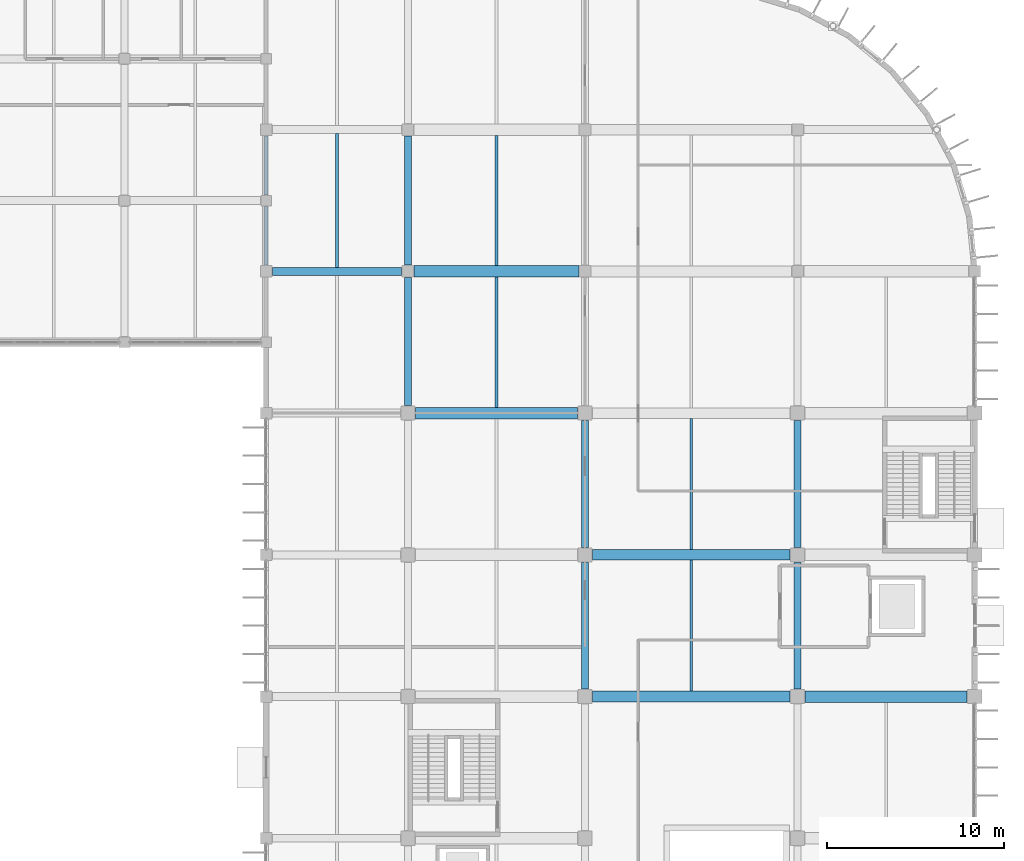
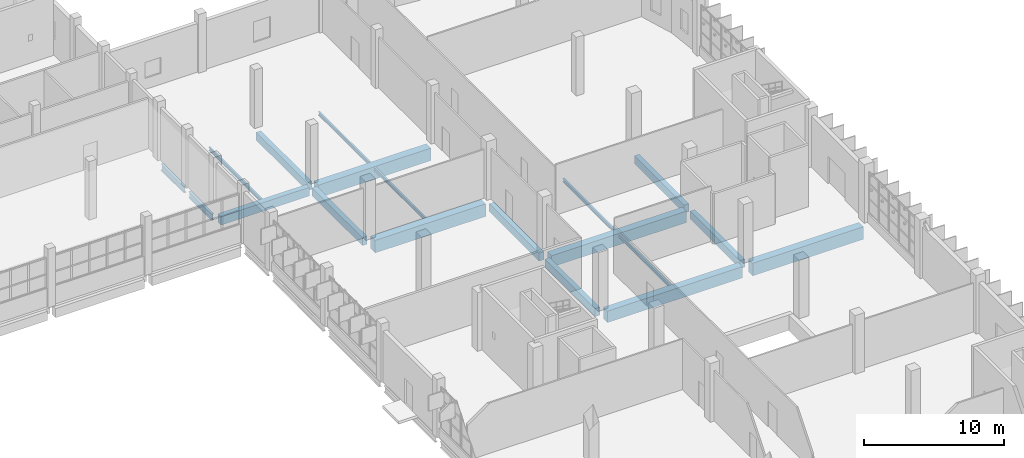
# One storey, part 49 of 103: 19 beams.
"""IFC4 building model written with IfcOpenShell, lengths in metres."""

from ifc_helpers import new_model, si_unit, direction, frame, origin, origin_2d, place, context, subcontext, project, spatial, rectangle, i_section, extrude, material, material_profile, profile_set, type_object, element, save


model = new_model("IFC4")

# Units and contexts
model_context = context("Model", 3, precision=1e-05, world=origin(), true_north=direction((0.0, 1.0)))
body_context = subcontext(model_context, "Body", "Model", "MODEL_VIEW")
ifc_project = project(units=[si_unit("LENGTHUNIT", "METRE"), si_unit("AREAUNIT", "SQUARE_METRE"), si_unit("VOLUMEUNIT", "CUBIC_METRE"), si_unit("PLANEANGLEUNIT", "RADIAN"), si_unit("MASSUNIT", "GRAM", prefix="KILO")], contexts=[model_context])

# Site, building, storey
site_placement = place(None, origin())
site = spatial("IfcSite", under=ifc_project, at=site_placement, CompositionType="ELEMENT")
building_placement = place(site_placement, origin())
building = spatial("IfcBuilding", under=site, at=building_placement, Name="Drelvana Railside Aquatics Centre", CompositionType="ELEMENT")
storey_placement = place(building_placement, origin())
storey = spatial("IfcBuildingStorey", under=building, at=storey_placement, Name="L00", CompositionType="ELEMENT", Elevation=0.0)

# Beams
ifc_material_1 = material(Name="Concrete C40/50", Category="concrete")
ifc_material_profile_1 = material_profile(ifc_material_1, rectangle(XDim=0.39990234375, YDim=0.699951171875, at=origin_2d()), Name="RC 400x700")
ifc_profile_set_1 = profile_set([ifc_material_profile_1], Name="Concrete C40/50")
beam_type_1 = type_object("IfcBeamType", Name="STR-BM-BM-03-RC-400x700", PredefinedType="BEAM", material=ifc_profile_set_1)
beam_1_placement = place(storey_placement, frame((152.0, 80.425048828125, -0.679931640625), z_axis=(0.0, 1.0, 0.0), x_axis=(-1.0, 0.0, 0.0)))
element("IfcBeam", 1, at=beam_1_placement, inside=storey, type_object=beam_type_1, Name="Girder BM-03 (L00)", PredefinedType="BEAM", context=body_context, shape_type="SweptSolid", body=[
    extrude(rectangle(XDim=0.39990234375, YDim=0.699951171875, at=origin_2d()), origin(), (0.0, 0.0, 1.0), 7.224853515625),
])
beam_2_placement = place(storey_placement, frame((152.0, 88.35009765625, -0.679931640625), z_axis=(0.0, 1.0, 0.0), x_axis=(-1.0, 0.0, 0.0)))
element("IfcBeam", 2, at=beam_2_placement, inside=storey, type_object=beam_type_1, Name="Girder BM-03 (L00)", PredefinedType="BEAM", context=body_context, shape_type="SweptSolid", body=[
    extrude(rectangle(XDim=0.39990234375, YDim=0.699951171875, at=origin_2d()), origin(), (0.0, 0.0, 1.0), 7.2998046875),
])
for number, where, z_axis, x_axis, name in (
    (3, (162.0, 64.425048828125, -0.679931640625), (0.0, 1.0, 0.0), (-1.0, 0.0, 0.0), "Girder BM-03 (L00)"),
    (4, (162.0, 72.425048828125, -0.679931640625), (0.0, 1.0, 0.0), (-1.0, 0.0, 0.0), "Girder BM-03 (L00)"),
    (5, (174.0, 64.425048828125, -0.679931640625), (0.0, 1.0, 0.0), (-1.0, 0.0, 0.0), "Girder BM-03 (L00)"),
    (6, (174.0, 72.425048828125, -0.679931640625), (0.0, 1.0, 0.0), (-1.0, 0.0, 0.0), "Girder BM-03 (L00)"),
):
    element("IfcBeam", number, at=place(storey_placement, frame(where, z_axis=z_axis, x_axis=x_axis)), inside=storey, type_object=beam_type_1, Name=name, PredefinedType="BEAM", context=body_context, shape_type="SweptSolid", body=[
        extrude(rectangle(XDim=0.39990234375, YDim=0.699951171875, at=origin_2d()), origin(), (0.0, 0.0, 1.0), 7.14990234375),
    ])
ifc_material_profile_2 = material_profile(ifc_material_1, rectangle(XDim=0.449951171875, YDim=0.75, at=origin_2d()), Name="RC 450x750")
ifc_profile_set_2 = profile_set([ifc_material_profile_2], Name="Concrete C40/50")
beam_type_2 = type_object("IfcBeamType", Name="STR-BM-BM-04-RC-450x750", PredefinedType="BEAM", material=ifc_profile_set_2)
beam_3_placement = place(storey_placement, frame((144.35009765625, 88.0, -0.705078125), z_axis=(1.0, 0.0, 0.0), x_axis=(0.0, 1.0, 0.0)))
element("IfcBeam", 7, at=beam_3_placement, inside=storey, type_object=beam_type_2, Name="Girder BM-04 (L00)", PredefinedType="BEAM", context=body_context, shape_type="SweptSolid", body=[
    extrude(rectangle(XDim=0.449951171875, YDim=0.75, at=origin_2d()), origin(), (0.0, 0.0, 1.0), 7.2998046875),
])
ifc_material_profile_3 = material_profile(ifc_material_1, rectangle(XDim=0.60009765625, YDim=1.0, at=origin_2d()), Name="RC 600x1000")
ifc_profile_set_3 = profile_set([ifc_material_profile_3], Name="Concrete C40/50")
beam_type_3 = type_object("IfcBeamType", Name="STR-BM-BM-09-RC-600x1000", PredefinedType="BEAM", material=ifc_profile_set_3)
for number, where, z_axis, x_axis, name in (
    (8, (162.425048828125, 64.0, -0.830078125), (1.0, 0.0, 0.0), (0.0, 1.0, 0.0), "Girder BM-09 (L00)"),
    (9, (162.425048828125, 72.0, -0.830078125), (1.0, 0.0, 0.0), (0.0, 1.0, 0.0), "Girder BM-09 (L00)"),
):
    element("IfcBeam", number, at=place(storey_placement, frame(where, z_axis=z_axis, x_axis=x_axis)), inside=storey, type_object=beam_type_3, Name=name, PredefinedType="BEAM", context=body_context, shape_type="SweptSolid", body=[
        extrude(rectangle(XDim=0.60009765625, YDim=1.0, at=origin_2d()), origin(), (0.0, 0.0, 1.0), 11.14990234375),
    ])
ifc_material_profile_4 = material_profile(ifc_material_1, rectangle(XDim=0.64990234375, YDim=1.10009765625, at=origin_2d()), Name="RC 650x1100")
ifc_profile_set_4 = profile_set([ifc_material_profile_4], Name="Concrete C40/50")
beam_type_4 = type_object("IfcBeamType", Name="STR-BM-BM-10-RC-650x1100", PredefinedType="BEAM", material=ifc_profile_set_4)
for number, where, z_axis, x_axis, name in (
    (10, (174.425048828125, 64.0, -0.8798828125), (1.0, 0.0, 0.0), (0.0, 1.0, 0.0), "Girder BM-10 (L00)"),
    (11, (152.425048828125, 80.0, -0.8798828125), (1.0, 0.0, 0.0), (0.0, 1.0, 0.0), "Girder BM-10 (L00)"),
):
    element("IfcBeam", number, at=place(storey_placement, frame(where, z_axis=z_axis, x_axis=x_axis)), inside=storey, type_object=beam_type_4, Name=name, PredefinedType="BEAM", context=body_context, shape_type="SweptSolid", body=[
        extrude(rectangle(XDim=0.64990234375, YDim=1.10009765625, at=origin_2d()), origin(), (0.0, 0.0, 1.0), 9.14990234375),
    ])
beam_4_placement = place(storey_placement, frame((152.35009765625, 88.0, -0.8798828125), z_axis=(1.0, 0.0, 0.0), x_axis=(0.0, 1.0, 0.0)))
element("IfcBeam", 12, at=beam_4_placement, inside=storey, type_object=beam_type_4, Name="Girder BM-10 (L00)", PredefinedType="BEAM", context=body_context, shape_type="SweptSolid", body=[
    extrude(rectangle(XDim=0.64990234375, YDim=1.10009765625, at=origin_2d()), origin(), (0.0, 0.0, 1.0), 9.2998046875),
])
ifc_material_2 = material(Name="Structural steel S355", Category="steel")
ifc_material_profile_5 = material_profile(ifc_material_2, i_section(OverallWidth=0.2099609375, OverallDepth=0.550048828125, WebThickness=0.010986328125, FlangeThickness=0.01708984375, at=origin_2d()), Name="IPE 550")
ifc_profile_set_5 = profile_set([ifc_material_profile_5], Name="Structural steel S355")
beam_type_5 = type_object("IfcBeamType", Name="STR-SBM-SB-04-IPE-550", PredefinedType="SPANDREL", material=ifc_profile_set_5)
for number, where, z_axis, x_axis, name in (
    (13, (144.0, 88.35009765625, -0.60498046875), (0.0, 1.0, 0.0), (-1.0, 0.0, 0.0), "Girder SB-04 (L00)"),
    (14, (144.0, 92.324951171875, -0.60498046875), (0.0, 1.0, 0.0), (-1.0, 0.0, 0.0), "Girder SB-04 (L00)"),
):
    element("IfcBeam", number, at=place(storey_placement, frame(where, z_axis=z_axis, x_axis=x_axis)), inside=storey, type_object=beam_type_5, Name=name, PredefinedType="SPANDREL", context=body_context, shape_type="SweptSolid", body=[
        extrude(i_section(OverallWidth=0.2099609375, OverallDepth=0.550048828125, WebThickness=0.010986328125, FlangeThickness=0.01708984375, at=origin_2d()), origin(), (0.0, 0.0, 1.0), 3.324951171875),
    ])
ifc_material_profile_6 = material_profile(ifc_material_2, i_section(OverallWidth=0.14990234375, OverallDepth=0.300048828125, WebThickness=0.007080078125, FlangeThickness=0.0107421875, at=origin_2d()), Name="IPE 300")
ifc_profile_set_6 = profile_set([ifc_material_profile_6], Name="Structural steel S355")
beam_type_6 = type_object("IfcBeamType", Name="STR-SBM-SJ-03-IPE-300", PredefinedType="JOIST", material=ifc_profile_set_6)
beam_5_placement = place(storey_placement, frame((148.0, 88.22509765625, -0.47998046875), z_axis=(0.0, 1.0, 0.0), x_axis=(-1.0, 0.0, 0.0)))
element("IfcBeam", 15, at=beam_5_placement, inside=storey, type_object=beam_type_6, Name="Secondary floor joist SJ-03 (L00)", PredefinedType="JOIST", context=body_context, shape_type="SweptSolid", body=[
    extrude(i_section(OverallWidth=0.14990234375, OverallDepth=0.300048828125, WebThickness=0.007080078125, FlangeThickness=0.0107421875, at=origin_2d()), origin(), (0.0, 0.0, 1.0), 7.5498046875),
])
for number, where, z_axis, x_axis, name in (
    (16, (157.0, 80.324951171875, -0.47998046875), (0.0, 1.0, 0.0), (-1.0, 0.0, 0.0), "Secondary floor joist SJ-03 (L00)"),
    (17, (157.0, 88.324951171875, -0.47998046875), (0.0, 1.0, 0.0), (-1.0, 0.0, 0.0), "Secondary floor joist SJ-03 (L00)"),
):
    element("IfcBeam", number, at=place(storey_placement, frame(where, z_axis=z_axis, x_axis=x_axis)), inside=storey, type_object=beam_type_6, Name=name, PredefinedType="JOIST", context=body_context, shape_type="SweptSolid", body=[
        extrude(i_section(OverallWidth=0.14990234375, OverallDepth=0.300048828125, WebThickness=0.007080078125, FlangeThickness=0.0107421875, at=origin_2d()), origin(), (0.0, 0.0, 1.0), 7.35009765625),
    ])
for number, where, z_axis, x_axis, name in (
    (18, (168.0, 64.300048828125, -0.47998046875), (0.0, 1.0, 0.0), (-1.0, 0.0, 0.0), "Secondary floor joist SJ-03 (L00)"),
    (19, (168.0, 72.300048828125, -0.47998046875), (0.0, 1.0, 0.0), (-1.0, 0.0, 0.0), "Secondary floor joist SJ-03 (L00)"),
):
    element("IfcBeam", number, at=place(storey_placement, frame(where, z_axis=z_axis, x_axis=x_axis)), inside=storey, type_object=beam_type_6, Name=name, PredefinedType="JOIST", context=body_context, shape_type="SweptSolid", body=[
        extrude(i_section(OverallWidth=0.14990234375, OverallDepth=0.300048828125, WebThickness=0.007080078125, FlangeThickness=0.0107421875, at=origin_2d()), origin(), (0.0, 0.0, 1.0), 7.39990234375),
    ])

save(model, "model.ifc")
